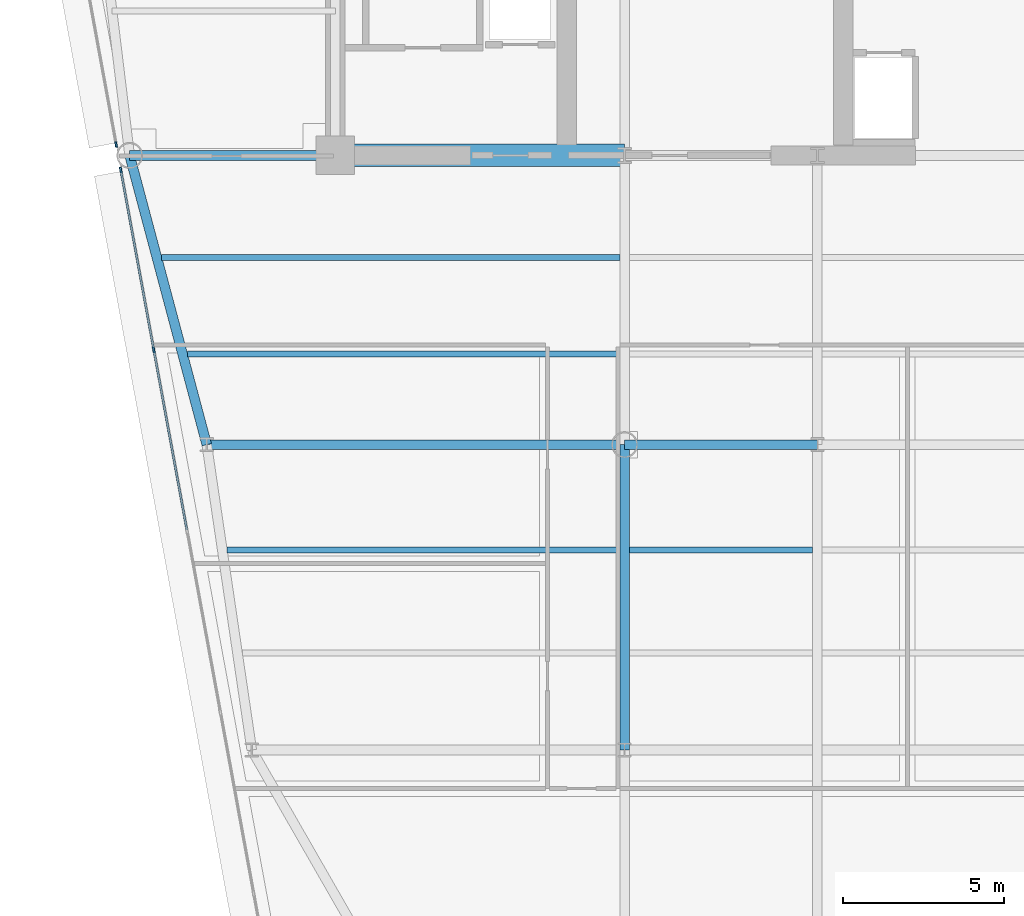
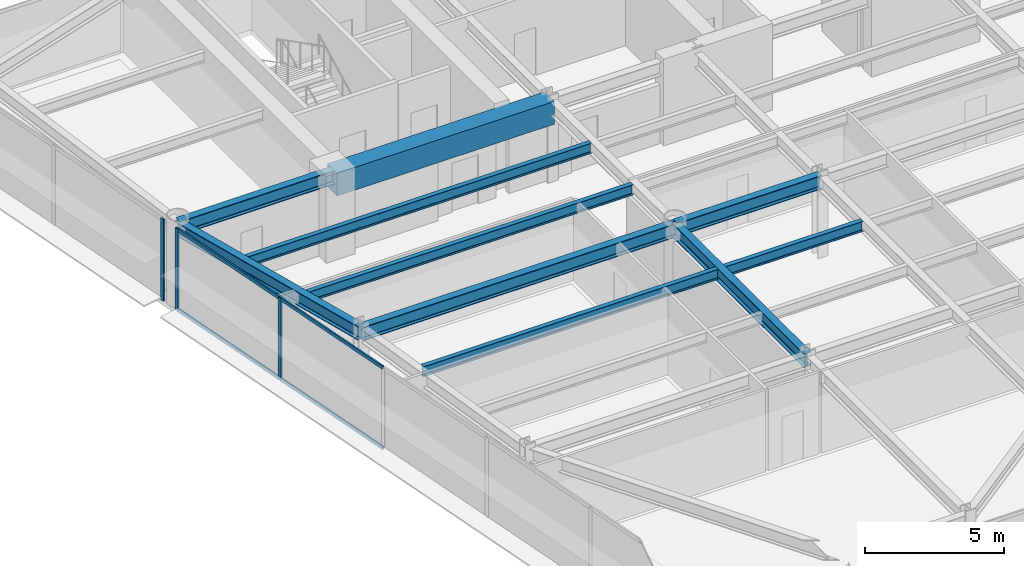
# One storey, part 4 of 16: 10 beams, 7 members, 2 elements without a shape of their own.
"""IFC4 building model written with IfcOpenShell, lengths in metres."""

import ifcopenshell
import ifcopenshell.guid

model = None  # the IFC model being written
_history = None  # IfcOwnerHistory: only IFC2X3 demands one
_inside = {}  # id of a spatial element -> (the spatial element, [elements in it])
_under = {}  # id of a project, library or spatial element -> (it, [spatial elements below it])
_declared = {}  # id of a project -> (the project, [libraries it declares])
_typed = {}  # id of a type object -> (the type object, [elements of that type])
_made_of = {}  # id of a material, layer set ... -> (it, [elements and type objects made of it])


def new_model(schema):
    """Start an empty IFC model of exactly this schema.

    Asked for "IFC4X3", IfcOpenShell would pick the latest addendum, in which some entities
    have other attributes; the version numbers below select the first issue.
    IFC2X3 requires an IfcOwnerHistory on every rooted entity: one is made here for all.
    """
    global model, _history
    if schema == "IFC4X3":
        model = ifcopenshell.file(schema_version=(4, 3, 0, 0))
    else:
        model = ifcopenshell.file(schema=schema)
    _inside.clear()
    _under.clear()
    _declared.clear()
    _typed.clear()
    _made_of.clear()
    _history = None
    if model.schema == "IFC2X3":
        org = make("IfcOrganization", Name="unknown")
        user = make(
            "IfcPersonAndOrganization",
            ThePerson=make("IfcPerson", FamilyName="unknown"),
            TheOrganization=org,
        )
        app = make(
            "IfcApplication",
            ApplicationDeveloper=org,
            Version="unknown",
            ApplicationFullName="unknown",
            ApplicationIdentifier="unknown",
        )
        _history = make(
            "IfcOwnerHistory",
            OwningUser=user,
            OwningApplication=app,
            ChangeAction="ADDED",
            CreationDate=0,
        )
    return model


def make(cls, **values):
    """One entity of the class cls with the attributes given. An attribute that is None is left unset."""
    return model.create_entity(
        cls, **{name: value for name, value in values.items() if value is not None}
    )


def rooted(cls, **values):
    """An entity with a GlobalId (a new one), such as an element, a storey or a relation."""
    return make(cls, GlobalId=ifcopenshell.guid.new(), OwnerHistory=_history, **values)


def si_unit(unit_type, name, prefix=None):
    """IfcSIUnit, for example si_unit("LENGTHUNIT", "METRE", prefix="MILLI")."""
    return make("IfcSIUnit", UnitType=unit_type, Prefix=prefix, Name=name)


def assignment(units):
    """IfcUnitAssignment: the units of a project."""
    return None if units is None else make("IfcUnitAssignment", Units=units)


def point(xyz):
    """IfcCartesianPoint."""
    return None if xyz is None else make("IfcCartesianPoint", Coordinates=xyz)


def direction(xyz):
    """IfcDirection."""
    return None if xyz is None else make("IfcDirection", DirectionRatios=xyz)


def frame(location, z_axis=None, x_axis=None):
    """IfcAxis2Placement3D, a coordinate frame: its origin and axes. An axis left out is left unset."""
    return make(
        "IfcAxis2Placement3D",
        Location=point(location),
        Axis=direction(z_axis),
        RefDirection=direction(x_axis),
    )


def frame_2d(location, x_axis=None):
    """IfcAxis2Placement2D, a coordinate frame in the plane: its origin and x axis."""
    return make(
        "IfcAxis2Placement2D", Location=point(location), RefDirection=direction(x_axis)
    )


def origin():
    """The frame at (0, 0, 0) with its axes left unset."""
    return frame((0.0, 0.0, 0.0))


def origin_2d():
    """The frame at (0, 0) in the plane with its x axis left unset."""
    return frame_2d((0.0, 0.0))


def place(relative_to, where):
    """IfcLocalPlacement: puts the frame where relative to a parent placement (None: the world)."""
    return make(
        "IfcLocalPlacement", PlacementRelTo=relative_to, RelativePlacement=where
    )


def context(
    kind, dimensions, precision=None, world=None, true_north=None, identifier=None
):
    """IfcGeometricRepresentationContext, for example the 3D "Model" context."""
    return make(
        "IfcGeometricRepresentationContext",
        ContextIdentifier=identifier,
        ContextType=kind,
        CoordinateSpaceDimension=dimensions,
        Precision=precision,
        WorldCoordinateSystem=world,
        TrueNorth=true_north,
    )


def subcontext(parent, identifier, kind, view, scale=None):
    """IfcGeometricRepresentationSubContext, for example "Body" below "Model"."""
    return make(
        "IfcGeometricRepresentationSubContext",
        ContextIdentifier=identifier,
        ContextType=kind,
        ParentContext=parent,
        TargetScale=scale,
        TargetView=view,
    )


def project(units=None, contexts=None):
    """IfcProject with its units and contexts."""
    return rooted(
        "IfcProject",
        Name="project",
        RepresentationContexts=contexts,
        UnitsInContext=assignment(units),
    )


def spatial(cls, under=None, at=None, **own):
    """A site, building, storey or space (cls), placed at a placement, below another one or the project."""
    s = rooted(cls, ObjectPlacement=at, **own)
    if under is not None:
        _under.setdefault(under.id(), (under, []))[1].append(s)
    return s


def profile(cls, at=None, kind="AREA", **sizes):
    """A parametric profile (cls). Its sizes go by their IFC names, for example OverallWidth=200.0."""
    return make(cls, ProfileType=kind, Position=at, **sizes)


def rectangle(**sizes):
    """IfcRectangleProfileDef."""
    return profile("IfcRectangleProfileDef", **sizes)


def i_section(**sizes):
    """IfcIShapeProfileDef."""
    return profile("IfcIShapeProfileDef", **sizes)


def extrude(swept, where, along, depth):
    """IfcExtrudedAreaSolid: the profile swept, set in the frame where, extruded along a direction by depth."""
    return make(
        "IfcExtrudedAreaSolid",
        SweptArea=swept,
        Position=where,
        ExtrudedDirection=direction(along),
        Depth=depth,
    )


def shape(context_of_items, identifier, shape_type, items):
    """IfcShapeRepresentation: the items that make up one representation, for example the "Body"."""
    return make(
        "IfcShapeRepresentation",
        ContextOfItems=context_of_items,
        RepresentationIdentifier=identifier,
        RepresentationType=shape_type,
        Items=items,
    )


def source(mapping_origin, context_of_items, identifier, shape_type, items):
    """IfcRepresentationMap: a shape defined once, which mapped items show again and again."""
    return make(
        "IfcRepresentationMap",
        MappingOrigin=mapping_origin,
        MappedRepresentation=shape(context_of_items, identifier, shape_type, items),
    )


def transform(
    local_origin,
    x_axis=None,
    y_axis=None,
    z_axis=None,
    scale=None,
    scale2=None,
    scale3=None,
    uniform=True,
):
    """IfcCartesianTransformationOperator3D, or its non-uniform kind. x_axis, y_axis, z_axis: its Axis1, 2, 3."""
    if uniform:
        return make(
            "IfcCartesianTransformationOperator3D",
            Axis1=direction(x_axis),
            Axis2=direction(y_axis),
            LocalOrigin=point(local_origin),
            Scale=scale,
            Axis3=direction(z_axis),
        )
    return make(
        "IfcCartesianTransformationOperator3DnonUniform",
        Axis1=direction(x_axis),
        Axis2=direction(y_axis),
        LocalOrigin=point(local_origin),
        Scale=scale,
        Axis3=direction(z_axis),
        Scale2=scale2,
        Scale3=scale3,
    )


def mapped(mapping_source, mapping_target):
    """IfcMappedItem: shows the shape of a source again, moved by a transform."""
    return make(
        "IfcMappedItem", MappingSource=mapping_source, MappingTarget=mapping_target
    )


def material(Name=None, Category=None):
    """IfcMaterial."""
    return make("IfcMaterial", Name=Name, Category=Category)


def layer(
    of_material, thickness, ventilated=None, Name=None, Category=None, Priority=None
):
    """IfcMaterialLayer: one layer of a wall or slab, of a material (None: an air gap)."""
    return make(
        "IfcMaterialLayer",
        Material=of_material,
        LayerThickness=thickness,
        IsVentilated=ventilated,
        Name=Name,
        Category=Category,
        Priority=Priority,
    )


def layer_set(layers, Name=None):
    """IfcMaterialLayerSet."""
    return make("IfcMaterialLayerSet", MaterialLayers=layers, LayerSetName=Name)


def material_profile(
    of_material, cross_section, Name=None, Category=None, Priority=None
):
    """IfcMaterialProfile: a cross section and its material."""
    return make(
        "IfcMaterialProfile",
        Name=Name,
        Material=of_material,
        Profile=cross_section,
        Priority=Priority,
        Category=Category,
    )


def profile_set(profiles, Name=None, composite=None):
    """IfcMaterialProfileSet."""
    return make(
        "IfcMaterialProfileSet",
        Name=Name,
        MaterialProfiles=profiles,
        CompositeProfile=composite,
    )


def made_of(thing, what):
    """Note that an element or type object is made of a material, layer set ...; save() writes the relation."""
    if what is not None:
        _made_of.setdefault(what.id(), (what, []))[1].append(thing)
    return thing


def type_object(cls, material=None, **own):
    """A type object (cls), such as IfcWallType, which elements share."""
    return made_of(rooted(cls, **own), material)


def element(
    cls,
    number,
    at=None,
    inside=None,
    cuts=None,
    type_object=None,
    material=None,
    context=None,
    identifier="Body",
    shape_type=None,
    held_by="IfcProductDefinitionShape",
    body=None,
    shapes=None,
    **own,
):
    """One element of the class cls, such as IfcWall. Its Tag is "e" and its number.

    at: its placement. inside: the storey or other place that contains it. cuts: it is an
    opening in that element (IfcRelVoidsElement). A single representation is given by context,
    identifier, shape_type and body (its items); several are given by shapes. held_by: the class
    of the entity that holds the representations. save() writes the other relations.
    """
    e = rooted(cls, Tag="e%d" % number, ObjectPlacement=at, **own)
    if body is not None:
        shapes = [shape(context, identifier, shape_type, body)]
    if shapes is not None:
        e.Representation = make(held_by, Representations=shapes)
    if inside is not None:
        _inside.setdefault(inside.id(), (inside, []))[1].append(e)
    if cuts is not None:
        rooted(
            "IfcRelVoidsElement", RelatingBuildingElement=cuts, RelatedOpeningElement=e
        )
    if type_object is not None:
        _typed.setdefault(type_object.id(), (type_object, []))[1].append(e)
    return made_of(e, material)


def aggregate(whole, parts):
    """IfcRelAggregates: a whole, such as a stair, and the parts it consists of."""
    return rooted("IfcRelAggregates", RelatingObject=whole, RelatedObjects=parts)


def save(model, path):
    """Write the relations noted so far, then the file.

    IfcRelAggregates (storeys below a building ...), IfcRelContainedInSpatialStructure (elements
    in a storey), IfcRelDefinesByType, IfcRelAssociatesMaterial and IfcRelDeclares: one each for
    every whole, place, type object, material and project.
    """
    for whole, parts in _under.values():
        aggregate(whole, parts)
    for where, things in _inside.values():
        rooted(
            "IfcRelContainedInSpatialStructure",
            RelatedElements=things,
            RelatingStructure=where,
        )
    for kind, things in _typed.values():
        rooted("IfcRelDefinesByType", RelatedObjects=things, RelatingType=kind)
    for what, things in _made_of.values():
        rooted("IfcRelAssociatesMaterial", RelatedObjects=things, RelatingMaterial=what)
    for by, libraries in _declared.values():
        rooted("IfcRelDeclares", RelatingContext=by, RelatedDefinitions=libraries)
    model.write(path)


model = new_model("IFC4")

# Units and contexts
model_context = context("Model", 3, precision=1e-05, world=origin(), true_north=direction((0.0, 1.0)))
body_context = subcontext(model_context, "Body", "Model", "MODEL_VIEW")
ifc_project = project(units=[si_unit("LENGTHUNIT", "METRE"), si_unit("AREAUNIT", "SQUARE_METRE"), si_unit("VOLUMEUNIT", "CUBIC_METRE"), si_unit("PLANEANGLEUNIT", "RADIAN"), si_unit("MASSUNIT", "GRAM", prefix="KILO")], contexts=[model_context])

# Site, building, storey
site_placement = place(None, origin())
site = spatial("IfcSite", under=ifc_project, at=site_placement, CompositionType="ELEMENT")
building_placement = place(site_placement, origin())
building = spatial("IfcBuilding", under=site, at=building_placement, Name="Vaeldorn Concourse Tower", CompositionType="ELEMENT")
storey_placement = place(building_placement, frame((0.0, 0.0, 188.0)))
storey = spatial("IfcBuildingStorey", under=building, at=storey_placement, Name="L48", CompositionType="ELEMENT", Elevation=188.0)

# Beams
ifc_material_1 = material(Name="Concrete C50/60", Category="concrete")
ifc_material_profile_1 = material_profile(ifc_material_1, rectangle(XDim=0.699951171875, YDim=1.0, at=origin_2d()), Name="RC 700x1000")
ifc_profile_set_1 = profile_set([ifc_material_profile_1], Name="Concrete C50/60")
beam_type_1 = type_object("IfcBeamType", Name="BM-CB-RC700", PredefinedType="BEAM", material=ifc_profile_set_1)
shared_shape_1 = source(origin(), body_context, "Body", "SweptSolid", [
    extrude(rectangle(XDim=0.699951171875, YDim=1.0, at=origin_2d()), origin(), (0.0, 0.0, 1.0), 9.0),
])
beam_1_placement = place(storey_placement, frame((14.0, 36.5, 3.080078125), z_axis=(1.0, 0.0, 0.0), x_axis=(0.0, 1.0, 0.0)))
element("IfcBeam", 1, at=beam_1_placement, inside=storey, type_object=beam_type_1, Name="Core Coupling Beam L48-1", PredefinedType="BEAM", context=body_context, shape_type="MappedRepresentation", body=[
    mapped(shared_shape_1, transform((0.0, 0.0, 0.0), scale=1.0)),
])
ifc_material_2 = material(Name="Steel S355", Category="steel")
ifc_material_profile_2 = material_profile(ifc_material_2, i_section(OverallWidth=0.18994140625, OverallDepth=0.449951171875, WebThickness=0.009521484375, FlangeThickness=0.0146484375, FilletRadius=0.02099609375, at=origin_2d()), Name="IPE 450")
ifc_profile_set_2 = profile_set([ifc_material_profile_2], Name="Steel S355")
beam_type_2 = type_object("IfcBeamType", Name="BM-JS-IPE450", PredefinedType="JOIST", material=ifc_profile_set_2)
shared_shape_2 = source(origin(), body_context, "Body", "SweptSolid", [
    extrude(i_section(OverallWidth=0.18994140625, OverallDepth=0.449951171875, WebThickness=0.009521484375, FlangeThickness=0.0146484375, FilletRadius=0.02099609375, at=origin_2d()), origin(), (0.0, 0.0, 1.0), 5.7001953125),
])
beam_2_placement = place(storey_placement, frame((23.14990234375, 24.219970703125, 3.35498046875), z_axis=(1.0, 0.0, 0.0), x_axis=(0.0, 1.0, 0.0)))
element("IfcBeam", 2, at=beam_2_placement, inside=storey, type_object=beam_type_2, Name="Beam JS-L48-W2-242", PredefinedType="JOIST", context=body_context, shape_type="MappedRepresentation", body=[
    mapped(shared_shape_2, transform((0.0, 0.0, 0.0), scale=1.0)),
])
shared_shape_3 = source(origin(), body_context, "Body", "SweptSolid", [
    extrude(i_section(OverallWidth=0.18994140625, OverallDepth=0.449951171875, WebThickness=0.009521484375, FlangeThickness=0.0146484375, FilletRadius=0.02099609375, at=origin_2d()), origin(), (0.0, 0.0, 1.0), 12.216796875),
])
beam_3_placement = place(storey_placement, frame((10.63330078125, 24.219970703125, 3.35498046875), z_axis=(1.0, 0.0, 0.0), x_axis=(0.0, 1.0, 0.0)))
element("IfcBeam", 3, at=beam_3_placement, inside=storey, type_object=beam_type_2, Name="Beam JS-L48-W1-242", PredefinedType="JOIST", context=body_context, shape_type="MappedRepresentation", body=[
    mapped(shared_shape_3, transform((0.0, 0.0, 0.0), scale=1.0)),
])
shared_shape_4 = source(origin(), body_context, "Body", "SweptSolid", [
    extrude(i_section(OverallWidth=0.18994140625, OverallDepth=0.449951171875, WebThickness=0.009521484375, FlangeThickness=0.0146484375, FilletRadius=0.02099609375, at=origin_2d()), origin(), (0.0, 0.0, 1.0), 13.4521484375),
])
beam_4_placement = place(storey_placement, frame((9.39794921875, 30.320068359375, 3.35498046875), z_axis=(1.0, 0.0, 0.0), x_axis=(0.0, 1.0, 0.0)))
element("IfcBeam", 4, at=beam_4_placement, inside=storey, type_object=beam_type_2, Name="Beam JS-L48-W1-303", PredefinedType="JOIST", context=body_context, shape_type="MappedRepresentation", body=[
    mapped(shared_shape_4, transform((0.0, 0.0, 0.0), scale=1.0)),
])
shared_shape_5 = source(origin(), body_context, "Body", "SweptSolid", [
    extrude(i_section(OverallWidth=0.18994140625, OverallDepth=0.449951171875, WebThickness=0.009521484375, FlangeThickness=0.0146484375, FilletRadius=0.02099609375, at=origin_2d()), origin(), (0.0, 0.0, 1.0), 14.252197265625),
])
beam_5_placement = place(storey_placement, frame((8.597900390625, 33.320068359375, 3.35498046875), z_axis=(1.0, 0.0, 0.0), x_axis=(0.0, 1.0, 0.0)))
element("IfcBeam", 5, at=beam_5_placement, inside=storey, type_object=beam_type_2, Name="Beam JS-L48-W1-333", PredefinedType="JOIST", context=body_context, shape_type="MappedRepresentation", body=[
    mapped(shared_shape_5, transform((0.0, 0.0, 0.0), scale=1.0)),
])
ifc_material_profile_3 = material_profile(ifc_material_2, i_section(OverallWidth=0.300048828125, OverallDepth=0.60009765625, WebThickness=0.015380859375, FlangeThickness=0.030029296875, FilletRadius=0.027099609375, at=origin_2d()), Name="HEB 600")
ifc_profile_set_3 = profile_set([ifc_material_profile_3], Name="Steel S355")
beam_type_3 = type_object("IfcBeamType", Name="BM-PG-HEB600", PredefinedType="BEAM", material=ifc_profile_set_3)
shared_shape_6 = source(origin(), body_context, "Body", "SweptSolid", [
    extrude(i_section(OverallWidth=0.300048828125, OverallDepth=0.60009765625, WebThickness=0.015380859375, FlangeThickness=0.030029296875, FilletRadius=0.027099609375, at=origin_2d()), origin(), (0.0, 0.0, 1.0), 6.0),
])
beam_6_placement = place(storey_placement, frame((23.0, 27.5, 3.280029296875), z_axis=(1.0, 0.0, 0.0), x_axis=(0.0, 1.0, 0.0)))
element("IfcBeam", 6, at=beam_6_placement, inside=storey, type_object=beam_type_3, Name="Beam BM-L48-C-TW1-C-TW2", PredefinedType="BEAM", context=body_context, shape_type="MappedRepresentation", body=[
    mapped(shared_shape_6, transform((0.0, 0.0, 0.0), scale=1.0)),
])
shared_shape_7 = source(origin(), body_context, "Body", "SweptSolid", [
    extrude(i_section(OverallWidth=0.300048828125, OverallDepth=0.60009765625, WebThickness=0.015380859375, FlangeThickness=0.030029296875, FilletRadius=0.027099609375, at=origin_2d()), origin(), (0.0, 0.0, 1.0), 6.39990234375),
])
beam_7_placement = place(storey_placement, frame((7.60009765625, 36.5, 3.280029296875), z_axis=(1.0, 0.0, 0.0), x_axis=(0.0, 1.0, 0.0)))
element("IfcBeam", 7, at=beam_7_placement, inside=storey, type_object=beam_type_3, Name="Beam BM-L48-C-NW2-C-FC1", PredefinedType="BEAM", context=body_context, shape_type="MappedRepresentation", body=[
    mapped(shared_shape_7, transform((0.0, 0.0, 0.0), scale=1.0)),
])
shared_shape_8 = source(origin(), body_context, "Body", "SweptSolid", [
    extrude(i_section(OverallWidth=0.300048828125, OverallDepth=0.60009765625, WebThickness=0.015380859375, FlangeThickness=0.030029296875, FilletRadius=0.027099609375, at=origin_2d()), origin(), (0.0, 0.0, 1.0), 9.314453125),
])
beam_8_placement = place(storey_placement, frame((7.60009765625, 36.5, 3.280029296875), z_axis=(0.257652862255, -0.966237549763, 0.0), x_axis=(0.966237549763, 0.257652862255, 0.0)))
element("IfcBeam", 8, at=beam_8_placement, inside=storey, type_object=beam_type_3, Name="Beam BM-L48-C-NW2-C-FLW1", PredefinedType="BEAM", context=body_context, shape_type="MappedRepresentation", body=[
    mapped(shared_shape_8, transform((0.0, 0.0, 0.0), scale=1.0)),
])
shared_shape_9 = source(origin(), body_context, "Body", "SweptSolid", [
    extrude(i_section(OverallWidth=0.300048828125, OverallDepth=0.60009765625, WebThickness=0.015380859375, FlangeThickness=0.030029296875, FilletRadius=0.027099609375, at=origin_2d()), origin(), (0.0, 0.0, 1.0), 13.0),
])
beam_9_placement = place(storey_placement, frame((10.0, 27.5, 3.280029296875), z_axis=(1.0, 0.0, 0.0), x_axis=(0.0, 1.0, 0.0)))
element("IfcBeam", 9, at=beam_9_placement, inside=storey, type_object=beam_type_3, Name="Beam BM-L48-C-FLW1-C-TW1", PredefinedType="BEAM", context=body_context, shape_type="MappedRepresentation", body=[
    mapped(shared_shape_9, transform((0.0, 0.0, 0.0), scale=1.0)),
])
shared_shape_10 = source(origin(), body_context, "Body", "SweptSolid", [
    extrude(i_section(OverallWidth=0.300048828125, OverallDepth=0.60009765625, WebThickness=0.015380859375, FlangeThickness=0.030029296875, FilletRadius=0.027099609375, at=origin_2d()), origin(), (0.0, 0.0, 1.0), 9.5),
])
beam_10_placement = place(storey_placement, frame((23.0, 18.0, 3.280029296875), z_axis=(0.0, 1.0, 0.0), x_axis=(-1.0, 0.0, 0.0)))
element("IfcBeam", 10, at=beam_10_placement, inside=storey, type_object=beam_type_3, Name="Beam BM-L48-C-TW5-C-TW1", PredefinedType="BEAM", context=body_context, shape_type="MappedRepresentation", body=[
    mapped(shared_shape_10, transform((0.0, 0.0, 0.0), scale=1.0)),
])

# Curtain wall, member
ifc_material_3 = material(Name="Anodised Bronze Aluminium", Category="aluminium")
ifc_layer = layer(ifc_material_3, 0.18994140625)
ifc_layer_set = layer_set([ifc_layer], Name="Anodised Bronze Aluminium")
curtain_wall_type = type_object("IfcCurtainWallType", Name="CW-SYS-03", PredefinedType="NOTDEFINED", material=ifc_layer_set)
curtain_wall_1_placement = place(storey_placement, origin())
curtain_wall_1 = element("IfcCurtainWall", 11, at=curtain_wall_1_placement, inside=storey, type_object=curtain_wall_type, Name="Unitised Curtain Wall CW-L48-E11-1", PredefinedType="NOTDEFINED")
ifc_material_profile_4 = material_profile(ifc_material_3, rectangle(XDim=0.06494140625, YDim=0.169921875, at=origin_2d()), Name="CWM 65x170")
ifc_profile_set_4 = profile_set([ifc_material_profile_4], Name="Anodised Bronze Aluminium")
member_type_1 = type_object("IfcMemberType", Name="CWM-BRONZE-170", PredefinedType="MULLION", material=ifc_profile_set_4)
shared_shape_11 = source(origin(), body_context, "Body", "SweptSolid", [
    extrude(rectangle(XDim=0.06494140625, YDim=0.169921875, at=origin_2d()), origin(), (0.0, 0.0, 1.0), 3.580078125),
])
member_1_placement = place(storey_placement, frame((7.177734375, 36.83935546875, 0.0), z_axis=(0.0, 0.0, 1.0), x_axis=(0.983559459619, 0.180584576845, 0.0)))
member_1 = element("IfcMember", 12, at=member_1_placement, type_object=member_type_1, Name="CW-03 mullion 3", PredefinedType="MULLION", context=body_context, shape_type="MappedRepresentation", body=[
    mapped(shared_shape_11, transform((0.0, 0.0, 0.0), scale=1.0)),
])
aggregate(curtain_wall_1, [member_1])

# Curtain wall, members
curtain_wall_2_placement = place(storey_placement, origin())
curtain_wall_2 = element("IfcCurtainWall", 13, at=curtain_wall_2_placement, inside=storey, type_object=curtain_wall_type, Name="Unitised Curtain Wall CW-L48-E11-2", PredefinedType="NOTDEFINED")
member_2_placement = place(storey_placement, frame((7.322265625, 36.051513671875, 0.0), z_axis=(0.0, 0.0, 1.0), x_axis=(0.983559325018, 0.180585309951, 0.0)))
member_2 = element("IfcMember", 14, at=member_2_placement, type_object=member_type_1, Name="CW-03 mullion 1", PredefinedType="MULLION", context=body_context, shape_type="MappedRepresentation", body=[
    mapped(shared_shape_11, transform((0.0, 0.0, 0.0), scale=1.0)),
])
member_3_placement = place(storey_placement, frame((8.351318359375, 30.44677734375, 0.0), z_axis=(0.0, 0.0, 1.0), x_axis=(0.983559325018, 0.180585309951, 0.0)))
member_3 = element("IfcMember", 15, at=member_3_placement, type_object=member_type_1, Name="CW-03 mullion 2", PredefinedType="MULLION", context=body_context, shape_type="MappedRepresentation", body=[
    mapped(shared_shape_11, transform((0.0, 0.0, 0.0), scale=1.0)),
])
ifc_material_profile_5 = material_profile(ifc_material_3, rectangle(XDim=0.06494140625, YDim=0.14990234375, at=origin_2d()), Name="CWT 65x150")
ifc_profile_set_5 = profile_set([ifc_material_profile_5], Name="Anodised Bronze Aluminium")
member_type_2 = type_object("IfcMemberType", Name="CWT-BRONZE-150", PredefinedType="USERDEFINED", material=ifc_profile_set_5)
shared_shape_12 = source(origin(), body_context, "Body", "SweptSolid", [
    extrude(rectangle(XDim=0.06494140625, YDim=0.14990234375, at=origin_2d()), origin(), (0.0, 0.0, 1.0), 5.63330078125),
])
member_4_placement = place(storey_placement, frame((7.328125, 36.01953125, 0.032470703125), z_axis=(0.180589917692, -0.983558479008, 0.0), x_axis=(0.983558479008, 0.180589917692, 0.0)))
member_4 = element("IfcMember", 16, at=member_4_placement, type_object=member_type_2, Name="CW-03 transom 1.1", ObjectType="TRANSOM", PredefinedType="USERDEFINED", context=body_context, shape_type="MappedRepresentation", body=[
    mapped(shared_shape_12, transform((0.0, 0.0, 0.0), scale=1.0)),
])
member_5_placement = place(storey_placement, frame((7.328125, 36.01953125, 3.547607421875), z_axis=(0.180589917692, -0.983558479008, 0.0), x_axis=(0.983558479008, 0.180589917692, 0.0)))
member_5 = element("IfcMember", 17, at=member_5_placement, type_object=member_type_2, Name="CW-03 transom 1.2", ObjectType="TRANSOM", PredefinedType="USERDEFINED", context=body_context, shape_type="MappedRepresentation", body=[
    mapped(shared_shape_12, transform((0.0, 0.0, 0.0), scale=1.0)),
])
shared_shape_13 = source(origin(), body_context, "Body", "SweptSolid", [
    extrude(rectangle(XDim=0.06494140625, YDim=0.14990234375, at=origin_2d()), origin(), (0.0, 0.0, 1.0), 5.666015625),
])
member_6_placement = place(storey_placement, frame((8.357177734375, 30.414794921875, 0.032470703125), z_axis=(0.180587719149, -0.983558882677, 0.0), x_axis=(0.983558882677, 0.180587719149, 0.0)))
member_6 = element("IfcMember", 18, at=member_6_placement, type_object=member_type_2, Name="CW-03 transom 2.1", ObjectType="TRANSOM", PredefinedType="USERDEFINED", context=body_context, shape_type="MappedRepresentation", body=[
    mapped(shared_shape_13, transform((0.0, 0.0, 0.0), scale=1.0)),
])
member_7_placement = place(storey_placement, frame((8.357177734375, 30.414794921875, 3.547607421875), z_axis=(0.180587719149, -0.983558882677, 0.0), x_axis=(0.983558882677, 0.180587719149, 0.0)))
member_7 = element("IfcMember", 19, at=member_7_placement, type_object=member_type_2, Name="CW-03 transom 2.2", ObjectType="TRANSOM", PredefinedType="USERDEFINED", context=body_context, shape_type="MappedRepresentation", body=[
    mapped(shared_shape_13, transform((0.0, 0.0, 0.0), scale=1.0)),
])
aggregate(curtain_wall_2, [member_2, member_3, member_4, member_5, member_6, member_7])

save(model, "model.ifc")
